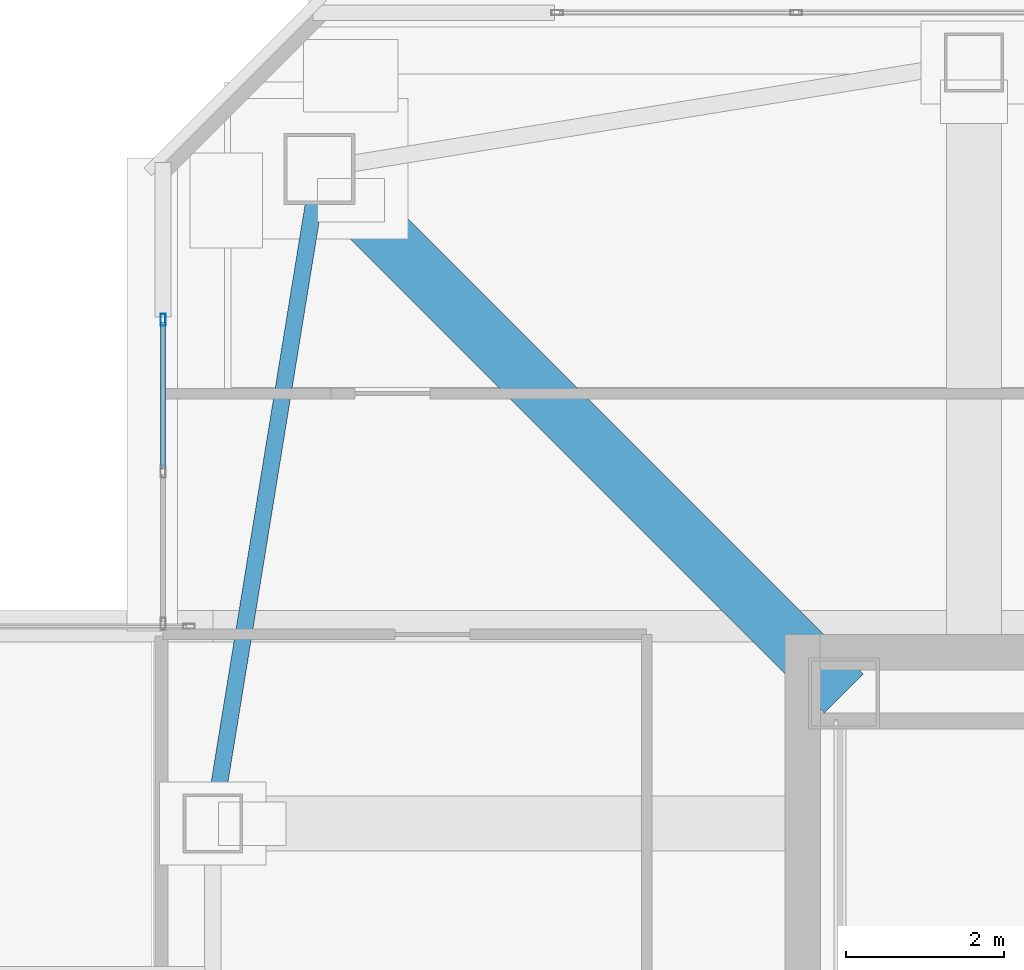
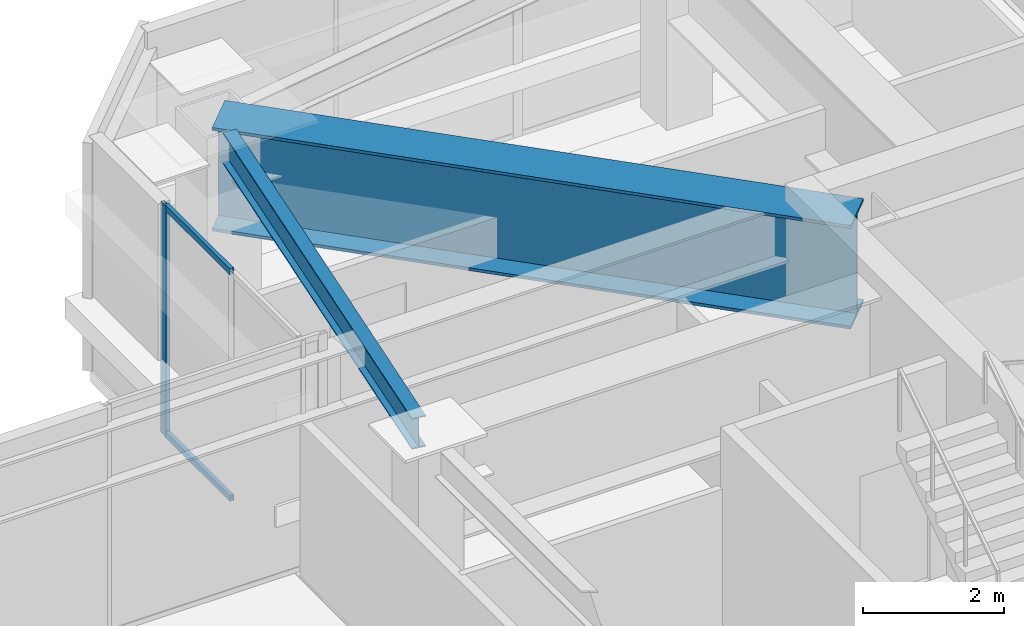
# One storey, part 8 of 51: 3 members, 2 beams, 1 element without a shape of its own.
"""IFC4 building model written with IfcOpenShell, lengths in metres."""

from ifc_helpers import new_model, si_unit, direction, frame, origin, origin_2d, place, context, subcontext, project, spatial, hollow_rectangle, i_section, extrude, material, material_profile, profile_set, type_object, element, aggregate, save


model = new_model("IFC4")

# Units and contexts
model_context = context("Model", 3, precision=1e-05, world=origin(), true_north=direction((0.0, 1.0)))
body_context = subcontext(model_context, "Body", "Model", "MODEL_VIEW")
ifc_project = project(units=[si_unit("LENGTHUNIT", "METRE"), si_unit("AREAUNIT", "SQUARE_METRE"), si_unit("VOLUMEUNIT", "CUBIC_METRE"), si_unit("PLANEANGLEUNIT", "RADIAN"), si_unit("MASSUNIT", "GRAM", prefix="KILO")], contexts=[model_context])

# Site, building, storey
site_placement = place(None, origin())
site = spatial("IfcSite", under=ifc_project, at=site_placement, CompositionType="ELEMENT")
building_placement = place(site_placement, origin())
building = spatial("IfcBuilding", under=site, at=building_placement, Name="Tashvorn Skyway Center", CompositionType="ELEMENT")
storey_placement = place(building_placement, frame((0.0, 0.0, 259.39990234375)))
storey = spatial("IfcBuildingStorey", under=building, at=storey_placement, Name="L70", CompositionType="ELEMENT", Elevation=259.39990234375)

# Beams
ifc_material_1 = material(Name="Steel ASTM A572 Grade 50", Category="steel")
ifc_material_profile_1 = material_profile(ifc_material_1, i_section(OverallWidth=0.699951171875, OverallDepth=1.800048828125, WebThickness=0.031982421875, FlangeThickness=0.050048828125, at=origin_2d()), Name="PG1800x700")
ifc_profile_set_1 = profile_set([ifc_material_profile_1], Name="Steel ASTM A572 Grade 50")
beam_type_1 = type_object("IfcBeamType", Name="BM-BEAM-PG1800x700", PredefinedType="BEAM", material=ifc_profile_set_1)
beam_1_placement = place(storey_placement, frame((28.300048828125, 45.699951171875, 2.800048828125), z_axis=(0.707106781187, -0.707106781187, 0.0), x_axis=(0.707106781187, 0.707106781187, 0.0)))
element("IfcBeam", 1, at=beam_1_placement, inside=storey, type_object=beam_type_1, Name="Tower 1 L70 Setback Transfer Girder MC-NW", PredefinedType="BEAM", context=body_context, shape_type="SweptSolid", body=[
    extrude(i_section(OverallWidth=0.699951171875, OverallDepth=1.800048828125, WebThickness=0.031982421875, FlangeThickness=0.050048828125, at=origin_2d()), origin(), (0.0, 0.0, 1.0), 9.404296875),
])
ifc_material_2 = material(Name="Steel ASTM A992 Grade 50", Category="steel")
ifc_material_profile_2 = material_profile(ifc_material_2, i_section(OverallWidth=0.2109375, OverallDepth=0.5390625, WebThickness=0.01171875, FlangeThickness=0.018798828125, at=origin_2d()), Name="W21X73")
ifc_profile_set_2 = profile_set([ifc_material_profile_2], Name="Steel ASTM A992 Grade 50")
beam_type_2 = type_object("IfcBeamType", Name="BM-SPANDREL-W21X73", PredefinedType="SPANDREL", material=ifc_profile_set_2)
beam_2_placement = place(storey_placement, frame((28.228515625, 45.2607421875, 3.4306640625), z_axis=(-0.160519005885, -0.987032749583, 0.0), x_axis=(0.987032749583, -0.160519005885, 0.0)))
element("IfcBeam", 2, at=beam_2_placement, inside=storey, type_object=beam_type_2, Name="Tower 1 L70 Spandrel Beam 10", PredefinedType="SPANDREL", context=body_context, shape_type="SweptSolid", body=[
    extrude(i_section(OverallWidth=0.2109375, OverallDepth=0.5390625, WebThickness=0.01171875, FlangeThickness=0.018798828125, at=origin_2d()), origin(), (0.0, 0.0, 1.0), 7.593994140625),
])

# Curtain wall, members
ifc_material_3 = material(Name="Thermally broken bronze-anodized aluminium 6063-T6", Category="aluminium")
curtain_wall_type = type_object("IfcCurtainWallType", Name="CW-CW-SKY", PredefinedType="NOTDEFINED", material=ifc_material_3)
curtain_wall_placement = place(storey_placement, origin())
curtain_wall = element("IfcCurtainWall", 3, at=curtain_wall_placement, inside=storey, type_object=curtain_wall_type, Name="Tower 1 L70 West Curtain Wall B Glazing Group 1", PredefinedType="NOTDEFINED")
ifc_material_profile_3 = material_profile(ifc_material_3, hollow_rectangle(XDim=0.06494140625, YDim=0.14990234375, WallThickness=0.00390625, at=origin_2d()), Name="ALU-MULL-65x150")
ifc_profile_set_3 = profile_set([ifc_material_profile_3], Name="Thermally broken bronze-anodized aluminium 6063-T6")
member_type_1 = type_object("IfcMemberType", Name="CWM-CW-SKY", PredefinedType="MULLION", material=ifc_profile_set_3)
member_1_placement = place(storey_placement, frame((26.320068359375, 43.78759765625, 0.0), z_axis=(0.0, 0.0, 1.0), x_axis=(-1.0, 0.0, 0.0)))
member_1 = element("IfcMember", 4, at=member_1_placement, type_object=member_type_1, Name="CW-SKY mullion 3", PredefinedType="MULLION", context=body_context, shape_type="SweptSolid", body=[
    extrude(hollow_rectangle(XDim=0.06494140625, YDim=0.14990234375, WallThickness=0.00390625, at=origin_2d()), origin(), (0.0, 0.0, 1.0), 4.0),
])
ifc_material_profile_4 = material_profile(ifc_material_3, hollow_rectangle(XDim=0.06494140625, YDim=0.10498046875, WallThickness=0.00390625, at=origin_2d()), Name="ALU-TRAN-65x105")
ifc_profile_set_4 = profile_set([ifc_material_profile_4], Name="Thermally broken bronze-anodized aluminium 6063-T6")
member_type_2 = type_object("IfcMemberType", Name="CWT-CW-SKY", PredefinedType="USERDEFINED", material=ifc_profile_set_4)
member_2_placement = place(storey_placement, frame((26.320068359375, 41.892578125, 0.03271484375), z_axis=(0.0, 1.0, 0.0), x_axis=(-1.0, 0.0, 0.0)))
member_2 = element("IfcMember", 5, at=member_2_placement, type_object=member_type_2, Name="CW-SKY transom 2.1", ObjectType="TRANSOM", PredefinedType="USERDEFINED", context=body_context, shape_type="SweptSolid", body=[
    extrude(hollow_rectangle(XDim=0.06494140625, YDim=0.10498046875, WallThickness=0.00390625, at=origin_2d()), origin(), (0.0, 0.0, 1.0), 1.8623046875),
])
member_3_placement = place(storey_placement, frame((26.320068359375, 41.892578125, 3.967529296875), z_axis=(0.0, 1.0, 0.0), x_axis=(-1.0, 0.0, 0.0)))
member_3 = element("IfcMember", 6, at=member_3_placement, type_object=member_type_2, Name="CW-SKY transom 2.2", ObjectType="TRANSOM", PredefinedType="USERDEFINED", context=body_context, shape_type="SweptSolid", body=[
    extrude(hollow_rectangle(XDim=0.06494140625, YDim=0.10498046875, WallThickness=0.00390625, at=origin_2d()), origin(), (0.0, 0.0, 1.0), 1.8623046875),
])
aggregate(curtain_wall, [member_1, member_2, member_3])

save(model, "model.ifc")
